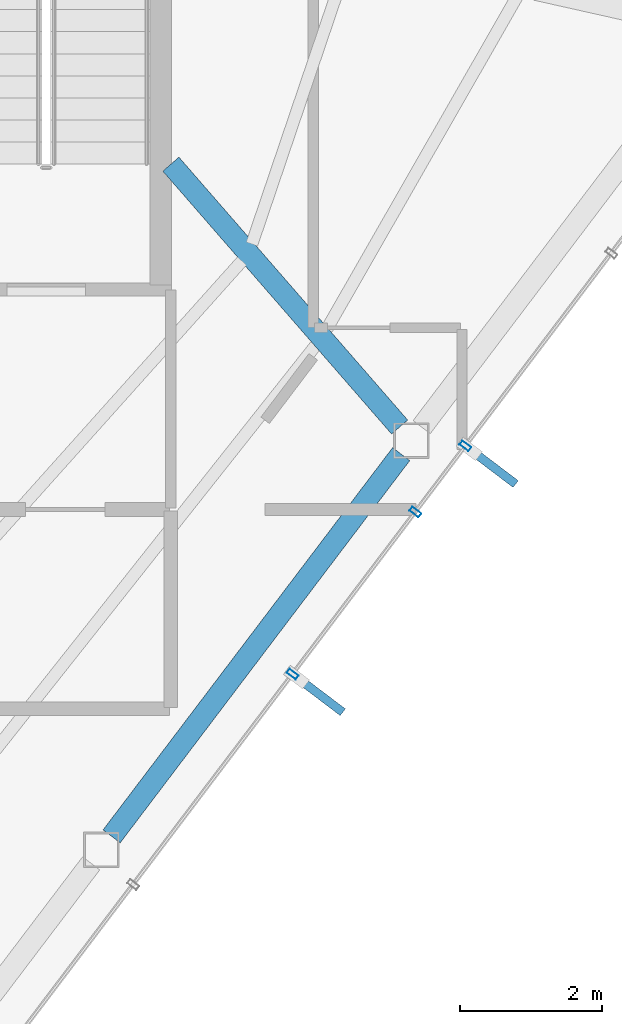
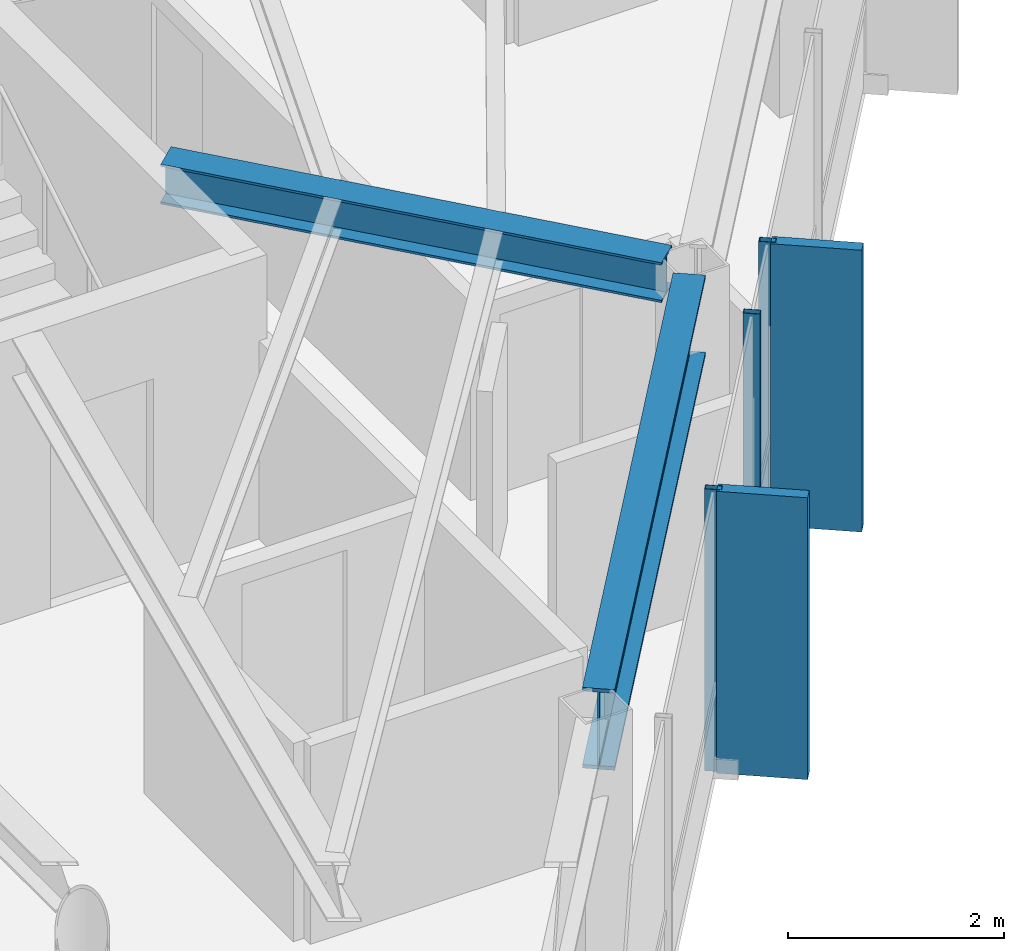
# One storey, part 15 of 26: 5 members, 2 beams, 1 element without a shape of its own.
"""IFC4 building model written with IfcOpenShell, lengths in metres."""

from ifc_helpers import new_model, si_unit, direction, frame, origin, origin_2d, place, context, subcontext, project, spatial, rectangle, hollow_rectangle, i_section, extrude, material, layer, layer_set, material_profile, profile_set, type_object, element, aggregate, save


model = new_model("IFC4")

# Units and contexts
model_context = context("Model", 3, precision=1e-05, world=origin(), true_north=direction((0.0, 1.0)))
body_context = subcontext(model_context, "Body", "Model", "MODEL_VIEW")
ifc_project = project(units=[si_unit("LENGTHUNIT", "METRE"), si_unit("AREAUNIT", "SQUARE_METRE"), si_unit("VOLUMEUNIT", "CUBIC_METRE"), si_unit("PLANEANGLEUNIT", "RADIAN"), si_unit("MASSUNIT", "GRAM", prefix="KILO")], contexts=[model_context])

# Site, building, storey
site_placement = place(None, origin())
site = spatial("IfcSite", under=ifc_project, at=site_placement, CompositionType="ELEMENT")
building_placement = place(site_placement, origin())
building = spatial("IfcBuilding", under=site, at=building_placement, Name="Zarrinselat Tower", CompositionType="ELEMENT")
storey_placement = place(building_placement, frame((0.0, 0.0, 258.39990234375)))
storey = spatial("IfcBuildingStorey", under=building, at=storey_placement, Name="L65", CompositionType="ELEMENT", Elevation=258.39990234375)

# Beams
ifc_material_1 = material(Name="Steel S355J2", Category="steel")
ifc_material_profile_1 = material_profile(ifc_material_1, i_section(OverallWidth=0.300048828125, OverallDepth=0.449951171875, WebThickness=0.013916015625, FlangeThickness=0.02587890625, at=origin_2d()), Name="HEB 450")
ifc_profile_set_1 = profile_set([ifc_material_profile_1], Name="Steel S355J2")
beam_type_1 = type_object("IfcBeamType", Name="BM-HEB450", PredefinedType="BEAM", material=ifc_profile_set_1)
beam_1_placement = place(storey_placement, frame((48.35009765625, 35.0, 2.955078125), z_axis=(0.65651081447, -0.754316611566, 0.0), x_axis=(0.754316611566, 0.65651081447, 0.0)))
element("IfcBeam", 1, at=beam_1_placement, inside=storey, type_object=beam_type_1, Name="L65 Radial Primary Girder RG13", PredefinedType="BEAM", context=body_context, shape_type="SweptSolid", body=[
    extrude(i_section(OverallWidth=0.300048828125, OverallDepth=0.449951171875, WebThickness=0.013916015625, FlangeThickness=0.02587890625, at=origin_2d()), origin(), (0.0, 0.0, 1.0), 4.89501953125),
])
ifc_material_2 = material(Name="Steel S460M", Category="steel")
ifc_material_profile_2 = material_profile(ifc_material_2, i_section(OverallWidth=0.302001953125, OverallDepth=0.909912109375, WebThickness=0.02099609375, FlangeThickness=0.0400390625, at=origin_2d()), Name="HEM 900")
ifc_profile_set_2 = profile_set([ifc_material_profile_2], Name="Steel S460M")
beam_type_2 = type_object("IfcBeamType", Name="BM-HEM900", PredefinedType="BEAM", material=ifc_profile_set_2)
beam_2_placement = place(storey_placement, frame((47.51806640625, 25.55908203125, 2.72509765625), z_axis=(0.603878624044, 0.797076287078, 0.0), x_axis=(-0.797076287078, 0.603878624044, 0.0)))
element("IfcBeam", 2, at=beam_2_placement, inside=storey, type_object=beam_type_2, Name="L65 Perimeter Spandrel Girder SP12", PredefinedType="BEAM", context=body_context, shape_type="SweptSolid", body=[
    extrude(i_section(OverallWidth=0.302001953125, OverallDepth=0.909912109375, WebThickness=0.02099609375, FlangeThickness=0.0400390625, at=origin_2d()), origin(), (0.0, 0.0, 1.0), 6.7353515625),
])

# Curtain wall, members
ifc_material_3 = material(Name="Extruded Aluminium Alloy EN AW-6063 T6", Category="aluminium")
ifc_layer = layer(ifc_material_3, 0.169921875)
ifc_layer_set = layer_set([ifc_layer], Name="Extruded Aluminium Alloy EN AW-6063 T6")
curtain_wall_type = type_object("IfcCurtainWallType", Name="CWS-RES", PredefinedType="NOTDEFINED", material=ifc_layer_set)
curtain_wall_placement = place(storey_placement, origin())
curtain_wall = element("IfcCurtainWall", 3, at=curtain_wall_placement, inside=storey, type_object=curtain_wall_type, Name="L65 Unitised Curtain Wall CW-L65-E05", PredefinedType="NOTDEFINED")
ifc_material_4 = material(Name="Extruded Aluminium Alloy EN AW-6063 T6", Category="aluminium")
ifc_material_profile_3 = material_profile(ifc_material_4, hollow_rectangle(XDim=0.070068359375, YDim=0.159912109375, WallThickness=0.00390625, at=origin_2d()), Name="RHS 160x70x4")
ifc_profile_set_3 = profile_set([ifc_material_profile_3], Name="Extruded Aluminium Alloy EN AW-6063 T6")
member_type_1 = type_object("IfcMemberType", Name="MEM-CW-MUL2", PredefinedType="MULLION", material=ifc_profile_set_3)
member_1_placement = place(storey_placement, frame((50.059326171875, 27.837158203125, 0.0), z_axis=(0.0, 0.0, 1.0), x_axis=(0.603859570382, 0.7970907221, 0.0)))
member_1 = element("IfcMember", 4, at=member_1_placement, type_object=member_type_1, Name="CW-L65-E05 Mullion 3", PredefinedType="MULLION", context=body_context, shape_type="SweptSolid", body=[
    extrude(hollow_rectangle(XDim=0.070068359375, YDim=0.159912109375, WallThickness=0.00390625, at=origin_2d()), origin(), (0.0, 0.0, 1.0), 3.18017578125),
])
member_2_placement = place(storey_placement, frame((51.7841796875, 30.11376953125, 0.0), z_axis=(0.0, 0.0, 1.0), x_axis=(0.603859570382, 0.7970907221, 0.0)))
member_2 = element("IfcMember", 5, at=member_2_placement, type_object=member_type_1, Name="CW-L65-E05 Mullion 4", PredefinedType="MULLION", context=body_context, shape_type="SweptSolid", body=[
    extrude(hollow_rectangle(XDim=0.070068359375, YDim=0.159912109375, WallThickness=0.00390625, at=origin_2d()), origin(), (0.0, 0.0, 1.0), 3.18017578125),
])
member_3_placement = place(storey_placement, frame((52.4873046875, 31.041748046875, 0.0), z_axis=(0.0, 0.0, 1.0), x_axis=(0.603859570382, 0.7970907221, 0.0)))
member_3 = element("IfcMember", 6, at=member_3_placement, type_object=member_type_1, Name="CW-L65-E05 Mullion 5", PredefinedType="MULLION", context=body_context, shape_type="SweptSolid", body=[
    extrude(hollow_rectangle(XDim=0.070068359375, YDim=0.159912109375, WallThickness=0.00390625, at=origin_2d()), origin(), (0.0, 0.0, 1.0), 3.18017578125),
])
ifc_material_5 = material(Name="Honed Cream Travertine Stone", Category="masonry")
ifc_material_profile_4 = material_profile(ifc_material_5, rectangle(XDim=0.1201171875, YDim=0.85009765625, at=origin_2d()), Name="FIN 850x120")
ifc_profile_set_4 = profile_set([ifc_material_profile_4], Name="Honed Cream Travertine Stone")
member_type_2 = type_object("IfcMemberType", Name="MEM-STONE-FIN", PredefinedType="USERDEFINED", material=ifc_profile_set_4)
member_4_placement = place(storey_placement, frame((50.426025390625, 27.559326171875, 0.0), z_axis=(0.0, 0.0, 1.0), x_axis=(-0.603859570382, -0.7970907221, 0.0)))
member_4 = element("IfcMember", 7, at=member_4_placement, type_object=member_type_2, Name="L65 Stone Shading Fin CW-L65-E05-03", ObjectType="FIN", PredefinedType="USERDEFINED", context=body_context, shape_type="SweptSolid", body=[
    extrude(rectangle(XDim=0.1201171875, YDim=0.85009765625, at=origin_2d()), origin(), (0.0, 0.0, 1.0), 3.18017578125),
])
member_5_placement = place(storey_placement, frame((52.85400390625, 30.763916015625, 0.0), z_axis=(0.0, 0.0, 1.0), x_axis=(-0.603859570382, -0.7970907221, 0.0)))
member_5 = element("IfcMember", 8, at=member_5_placement, type_object=member_type_2, Name="L65 Stone Shading Fin CW-L65-E05-05", ObjectType="FIN", PredefinedType="USERDEFINED", context=body_context, shape_type="SweptSolid", body=[
    extrude(rectangle(XDim=0.1201171875, YDim=0.85009765625, at=origin_2d()), origin(), (0.0, 0.0, 1.0), 3.18017578125),
])
aggregate(curtain_wall, [member_1, member_4, member_2, member_3, member_5])

save(model, "model.ifc")
